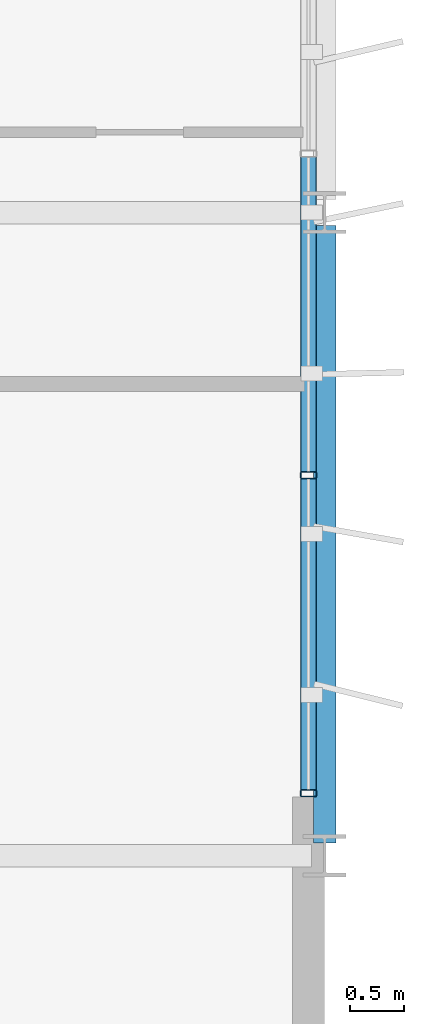
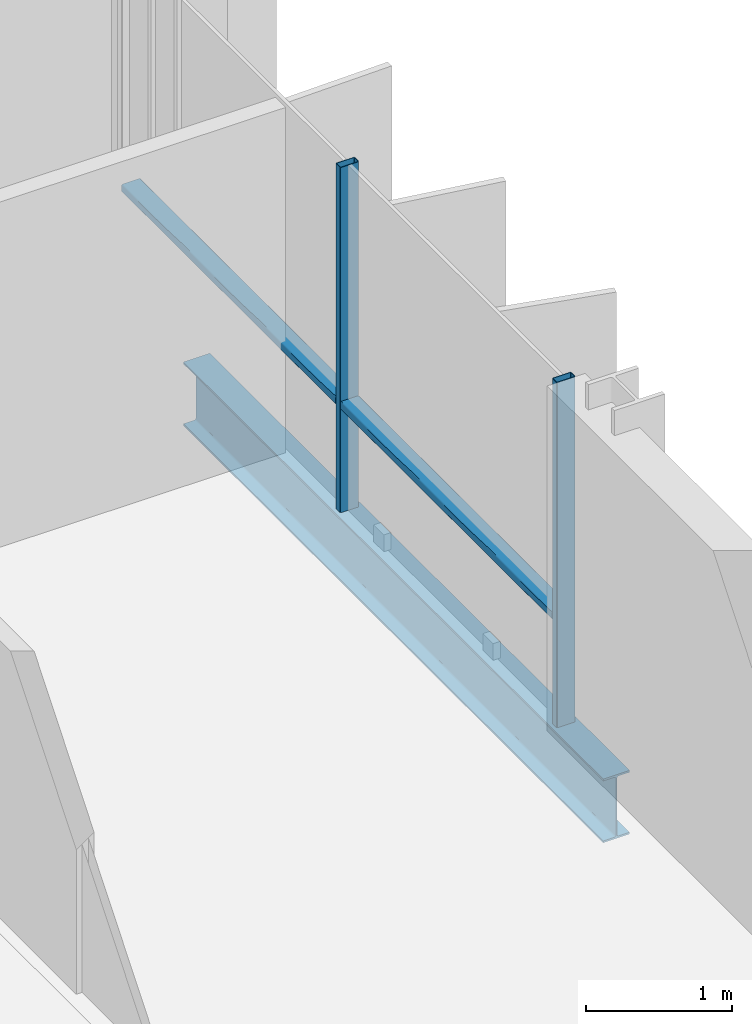
# One storey, part 10 of 28: 4 members, 1 beam, 1 element without a shape of its own.
"""IFC4 building model written with IfcOpenShell, lengths in metres."""

from ifc_helpers import new_model, si_unit, direction, frame, origin, origin_2d, place, context, subcontext, project, spatial, hollow_rectangle, i_section, extrude, material, layer, layer_set, material_profile, profile_set, type_object, element, aggregate, save


model = new_model("IFC4")

# Units and contexts
model_context = context("Model", 3, precision=1e-05, world=origin(), true_north=direction((0.0, 1.0)))
body_context = subcontext(model_context, "Body", "Model", "MODEL_VIEW")
ifc_project = project(units=[si_unit("LENGTHUNIT", "METRE"), si_unit("AREAUNIT", "SQUARE_METRE"), si_unit("VOLUMEUNIT", "CUBIC_METRE"), si_unit("PLANEANGLEUNIT", "RADIAN"), si_unit("MASSUNIT", "GRAM", prefix="KILO")], contexts=[model_context])

# Site, building, storey
site_placement = place(None, origin())
site = spatial("IfcSite", under=ifc_project, at=site_placement, CompositionType="ELEMENT")
building_placement = place(site_placement, origin())
building = spatial("IfcBuilding", under=site, at=building_placement, Name="Brevholm Reach", CompositionType="ELEMENT")
storey_placement = place(building_placement, frame((0.0, 0.0, 192.5)))
storey = spatial("IfcBuildingStorey", under=building, at=storey_placement, Name="L58", CompositionType="ELEMENT", Elevation=192.5)

# Beam
ifc_material_1 = material(Name="Structural Steel S355J2", Category="steel")
ifc_material_profile_1 = material_profile(ifc_material_1, i_section(OverallWidth=0.209228515625, OverallDepth=0.533203125, WebThickness=0.010009765625, FlangeThickness=0.015625, FilletRadius=0.0126953125, at=origin_2d()), Name="UKB 533x210x92")
ifc_profile_set_1 = profile_set([ifc_material_profile_1], Name="Structural Steel S355J2")
beam_type = type_object("IfcBeamType", Name="BM-SP533", PredefinedType="SPANDREL", material=ifc_profile_set_1)
beam_placement = place(storey_placement, frame((60.0, 10.1201171875, -0.4765625), z_axis=(0.0, 1.0, 0.0), x_axis=(-1.0, 0.0, 0.0)))
element("IfcBeam", 1, at=beam_placement, inside=storey, type_object=beam_type, Name="L58 SP-02 Framing Beam", PredefinedType="SPANDREL", context=body_context, shape_type="SweptSolid", body=[
    extrude(i_section(OverallWidth=0.209228515625, OverallDepth=0.533203125, WebThickness=0.010009765625, FlangeThickness=0.015625, FilletRadius=0.0126953125, at=origin_2d()), origin(), (0.0, 0.0, 1.0), 5.759765625),
])

# Curtain wall, members
ifc_material_2 = material(Name="Dark Anodised Aluminium 6063-T6 and Solar-Control Glass", Category="aluminium")
ifc_layer = layer(ifc_material_2, 0.14990234375)
ifc_layer_set = layer_set([ifc_layer], Name="Dark Anodised Aluminium 6063-T6 and Solar-Control Glass")
curtain_wall_type = type_object("IfcCurtainWallType", Name="CW-01", PredefinedType="NOTDEFINED", material=ifc_layer_set)
curtain_wall_placement = place(storey_placement, origin())
curtain_wall = element("IfcCurtainWall", 2, at=curtain_wall_placement, inside=storey, type_object=curtain_wall_type, Name="L58 Curtain Wall CW-01", PredefinedType="NOTDEFINED")
ifc_material_3 = material(Name="Dark Anodised Aluminium 6063-T6", Category="aluminium")
ifc_material_profile_2 = material_profile(ifc_material_3, hollow_rectangle(XDim=0.06494140625, YDim=0.14990234375, WallThickness=0.0048828125, InnerFilletRadius=0.0048828125, OuterFilletRadius=0.010009765625, at=origin_2d()), Name="RHS 150x65x5")
ifc_profile_set_2 = profile_set([ifc_material_profile_2], Name="Dark Anodised Aluminium 6063-T6")
member_type_1 = type_object("IfcMemberType", Name="CWM-150", PredefinedType="MULLION", material=ifc_profile_set_2)
member_1_placement = place(storey_placement, frame((59.85009765625, 10.58251953125, 0.0), z_axis=(0.0, 0.0, 1.0), x_axis=(0.0, 1.0, 0.0)))
member_1 = element("IfcMember", 3, at=member_1_placement, type_object=member_type_1, Name="CM-150 Mullion 1", PredefinedType="MULLION", context=body_context, shape_type="SweptSolid", body=[
    extrude(hollow_rectangle(XDim=0.06494140625, YDim=0.14990234375, WallThickness=0.0048828125, InnerFilletRadius=0.0048828125, OuterFilletRadius=0.010009765625, at=origin_2d()), origin(), (0.0, 0.0, 1.0), 2.889892578125),
])
member_2_placement = place(storey_placement, frame((59.85009765625, 13.550048828125, 0.0), z_axis=(0.0, 0.0, 1.0), x_axis=(0.0, 1.0, 0.0)))
member_2 = element("IfcMember", 4, at=member_2_placement, type_object=member_type_1, Name="CM-150 Mullion 2", PredefinedType="MULLION", context=body_context, shape_type="SweptSolid", body=[
    extrude(hollow_rectangle(XDim=0.06494140625, YDim=0.14990234375, WallThickness=0.0048828125, InnerFilletRadius=0.0048828125, OuterFilletRadius=0.010009765625, at=origin_2d()), origin(), (0.0, 0.0, 1.0), 2.889892578125),
])
ifc_material_4 = material(Name="Dark Anodised Aluminium 6063-T6", Category="aluminium")
ifc_material_profile_3 = material_profile(ifc_material_4, hollow_rectangle(XDim=0.06494140625, YDim=0.14990234375, WallThickness=0.0048828125, InnerFilletRadius=0.0048828125, OuterFilletRadius=0.010009765625, at=origin_2d()), Name="RHS 150x65x5")
ifc_profile_set_3 = profile_set([ifc_material_profile_3], Name="Dark Anodised Aluminium 6063-T6")
member_type_2 = type_object("IfcMemberType", Name="CWT-150", PredefinedType="NOTDEFINED", material=ifc_profile_set_3)
member_3_placement = place(storey_placement, frame((59.85009765625, 10.614990234375, 0.89990234375), z_axis=(0.0, 1.0, 0.0), x_axis=(0.0, 0.0, 1.0)))
member_3 = element("IfcMember", 5, at=member_3_placement, type_object=member_type_2, Name="CT-150 Transom 1.1", ObjectType="TRANSOM", PredefinedType="USERDEFINED", context=body_context, shape_type="SweptSolid", body=[
    extrude(hollow_rectangle(XDim=0.06494140625, YDim=0.14990234375, WallThickness=0.0048828125, InnerFilletRadius=0.0048828125, OuterFilletRadius=0.010009765625, at=origin_2d()), origin(), (0.0, 0.0, 1.0), 2.902587890625),
])
member_4_placement = place(storey_placement, frame((59.85009765625, 13.58251953125, 0.89990234375), z_axis=(0.0, 1.0, 0.0), x_axis=(0.0, 0.0, 1.0)))
member_4 = element("IfcMember", 6, at=member_4_placement, type_object=member_type_2, Name="CT-150 Transom 2.1", ObjectType="TRANSOM", PredefinedType="USERDEFINED", context=body_context, shape_type="SweptSolid", body=[
    extrude(hollow_rectangle(XDim=0.06494140625, YDim=0.14990234375, WallThickness=0.0048828125, InnerFilletRadius=0.0048828125, OuterFilletRadius=0.010009765625, at=origin_2d()), origin(), (0.0, 0.0, 1.0), 2.93505859375),
])
aggregate(curtain_wall, [member_1, member_2, member_3, member_4])

save(model, "model.ifc")
